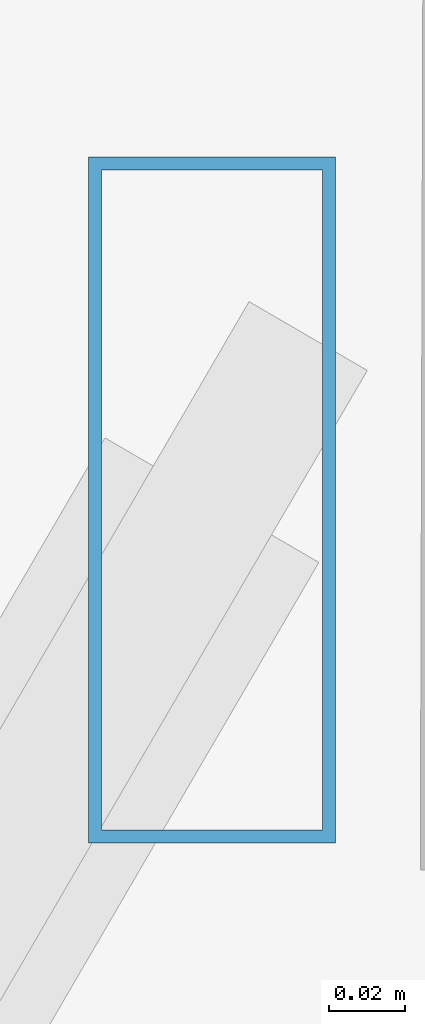
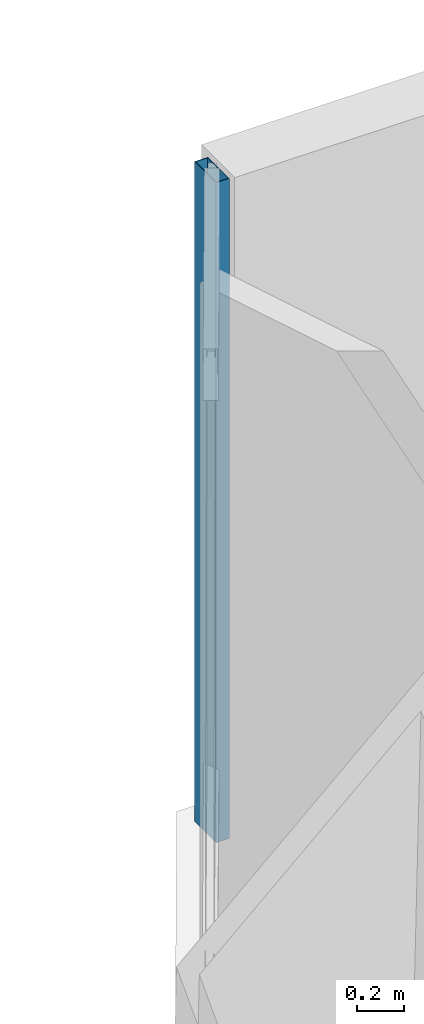
# One storey, part 24 of 33: 1 member, 1 element without a shape of its own.
"""IFC4 building model written with IfcOpenShell, lengths in metres."""

from ifc_helpers import new_model, si_unit, direction, frame, origin, origin_2d, place, context, subcontext, project, spatial, hollow_rectangle, extrude, source, transform, mapped, material, material_profile, profile_set, type_object, type_shapes, element, aggregate, save


model = new_model("IFC4")

# Units and contexts
model_context = context("Model", 3, precision=1e-05, world=origin(), true_north=direction((0.0, 1.0)))
body_context = subcontext(model_context, "Body", "Model", "MODEL_VIEW")
ifc_project = project(units=[si_unit("LENGTHUNIT", "METRE"), si_unit("AREAUNIT", "SQUARE_METRE"), si_unit("VOLUMEUNIT", "CUBIC_METRE"), si_unit("PLANEANGLEUNIT", "RADIAN"), si_unit("MASSUNIT", "GRAM", prefix="KILO")], contexts=[model_context])

# Site, building, storey
site_placement = place(None, origin())
site = spatial("IfcSite", under=ifc_project, at=site_placement, CompositionType="ELEMENT")
building_placement = place(site_placement, origin())
building = spatial("IfcBuilding", under=site, at=building_placement, Name="Caelisora Broadcast Tower", CompositionType="ELEMENT")
storey_placement = place(building_placement, frame((0.0, 0.0, 42.199951171875)))
storey = spatial("IfcBuildingStorey", under=building, at=storey_placement, Name="L10", CompositionType="ELEMENT", Elevation=42.199951171875)

# Curtain wall, member
ifc_material_1 = material(Name="Unitised Aluminium and Low-E Glass Curtain Wall", Category="glass")
curtain_wall_type = type_object("IfcCurtainWallType", Name="CW-Z1", PredefinedType="NOTDEFINED", material=ifc_material_1)
curtain_wall_placement = place(storey_placement, origin())
curtain_wall = element("IfcCurtainWall", 1, at=curtain_wall_placement, inside=storey, type_object=curtain_wall_type, Name="L10 curtain wall CW-Z1", PredefinedType="NOTDEFINED")
ifc_material_2 = material(Name="Aluminium 6063-T6 Anodised Terracotta Bronze", Category="aluminium")
ifc_material_profile = material_profile(ifc_material_2, hollow_rectangle(XDim=0.06494140625, YDim=0.179931640625, WallThickness=0.00341796875, at=origin_2d()), Name="Aluminium 6063-T6 Anodised Terracotta Bronze")
ifc_profile_set = profile_set([ifc_material_profile], Name="Aluminium 6063-T6 Anodised Terracotta Bronze")
member_type = type_object("IfcMemberType", Name="CWM-02", PredefinedType="MULLION", material=ifc_profile_set)
shared_shape = source(origin(), body_context, "Body", "SweptSolid", [
    extrude(hollow_rectangle(XDim=0.06494140625, YDim=0.179931640625, WallThickness=0.00341796875, at=origin_2d()), origin(), (0.0, 0.0, 1.0), 3.400146484375),
])
type_shapes(member_type, [shared_shape])
member_placement = place(storey_placement, frame((29.938720703125, 49.245849609375, 0.0), z_axis=(0.0, 0.0, 1.0), x_axis=(1.0, 0.0, 0.0)))
member = element("IfcMember", 2, at=member_placement, type_object=member_type, Name="L10-CW-B11 mullion #3", PredefinedType="MULLION", context=body_context, shape_type="MappedRepresentation", body=[
    mapped(shared_shape, transform((0.0, 0.0, 0.0), scale=1.0)),
])
aggregate(curtain_wall, [member])

save(model, "model.ifc")
